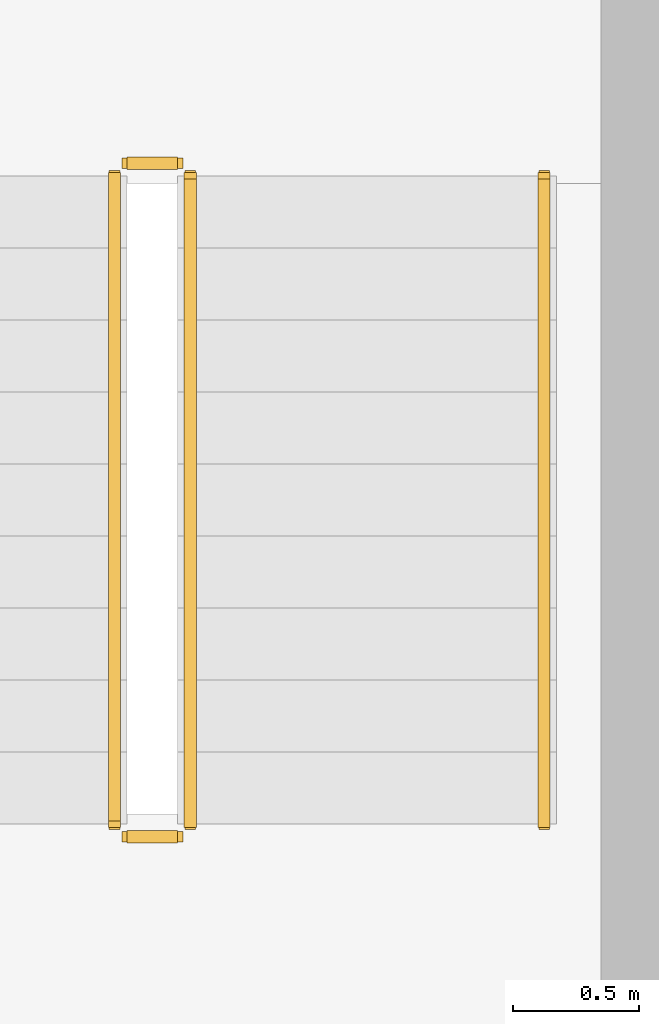
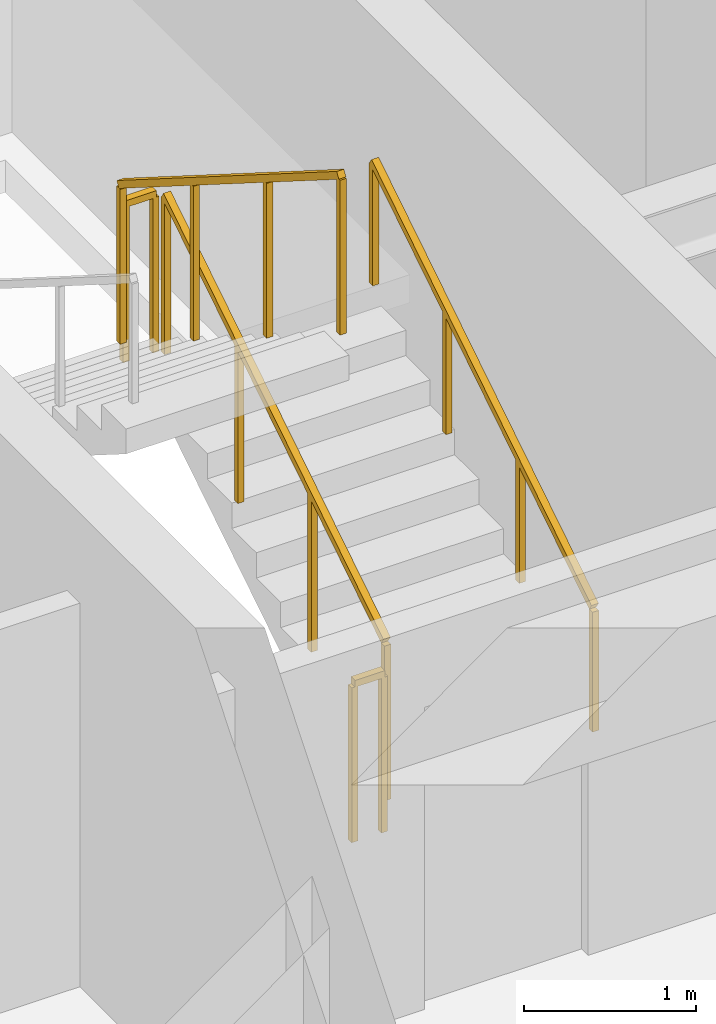
# One storey, part 22 of 22: 5 railings.
"""IFC4 building model written with IfcOpenShell, lengths in metres."""

from ifc_helpers import new_model, si_unit, direction, frame, origin, origin_2d, place, context, subcontext, project, spatial, rectangle, extrude, material, type_object, element, save


model = new_model("IFC4")

# Units and contexts
model_context = context("Model", 3, precision=1e-05, world=origin(), true_north=direction((0.0, 1.0)))
body_context = subcontext(model_context, "Body", "Model", "MODEL_VIEW")
ifc_project = project(units=[si_unit("LENGTHUNIT", "METRE"), si_unit("AREAUNIT", "SQUARE_METRE"), si_unit("VOLUMEUNIT", "CUBIC_METRE"), si_unit("PLANEANGLEUNIT", "RADIAN"), si_unit("MASSUNIT", "GRAM", prefix="KILO")], contexts=[model_context])

# Site, building, storey
site_placement = place(None, origin())
site = spatial("IfcSite", under=ifc_project, at=site_placement, CompositionType="ELEMENT")
building_placement = place(site_placement, origin())
building = spatial("IfcBuilding", under=site, at=building_placement, Name="Sarneth Arch Tower", CompositionType="ELEMENT")
storey_placement = place(building_placement, frame((0.0, 0.0, 298.199951171875)))
storey = spatial("IfcBuildingStorey", under=building, at=storey_placement, Name="L77", CompositionType="ELEMENT", Elevation=298.199951171875)

# Railings
ifc_material_1 = material(Name="Brushed Stainless Steel 304 tubular handrail", Category="steel")
railing_type_1 = type_object("IfcRailingType", Name="RAIL-HANDRAIL-900", PredefinedType="HANDRAIL", material=ifc_material_1)
railing_1_placement = place(storey_placement, frame((58.60009765625, 41.449951171875, 0.179931640625)))
element("IfcRailing", 1, at=railing_1_placement, inside=storey, type_object=railing_type_1, Name="L77 ST-2 stair handrail 1", PredefinedType="HANDRAIL", context=body_context, shape_type="SweptSolid", body=[
    extrude(rectangle(XDim=0.048095703125, YDim=0.048095703125, at=origin_2d()), frame((0.0, 0.0, 0.8759765625), z_axis=(0.0, 0.845465955043, 0.534029323973), x_axis=(-1.0, 0.0, 0.0)), (0.0, 0.0, 1.0), 3.03369140625),
    extrude(rectangle(XDim=0.0419921875, YDim=0.0419921875, at=origin_2d()), origin(), (0.0, 0.0, 1.0), 0.851806640625),
    extrude(rectangle(XDim=0.0419921875, YDim=0.0419921875, at=origin_2d()), frame((0.0, 0.85498046875, 0.5400390625)), (0.0, 0.0, 1.0), 0.851806640625),
    extrude(rectangle(XDim=0.0419921875, YDim=0.0419921875, at=origin_2d()), frame((0.0, 1.7099609375, 1.080078125)), (0.0, 0.0, 1.0), 0.851806640625),
    extrude(rectangle(XDim=0.0419921875, YDim=0.0419921875, at=origin_2d()), frame((0.0, 2.56494140625, 1.6201171875)), (0.0, 0.0, 1.0), 0.851806640625),
])
ifc_material_2 = material(Name="Painted Steel S275 stair well guard", Category="steel")
railing_type_2 = type_object("IfcRailingType", Name="RAIL-STAIR-GUARD", PredefinedType="GUARDRAIL", material=ifc_material_2)
railing_2_placement = place(storey_placement, frame((57.199951171875, 41.449951171875, 0.179931640625)))
element("IfcRailing", 2, at=railing_2_placement, inside=storey, type_object=railing_type_2, Name="L77 ST-2 stair guard 1", PredefinedType="GUARDRAIL", context=body_context, shape_type="SweptSolid", body=[
    extrude(rectangle(XDim=0.048095703125, YDim=0.048095703125, at=origin_2d()), frame((0.0, 0.0, 1.1259765625), z_axis=(0.0, 0.845465955043, 0.534029323973), x_axis=(-1.0, 0.0, 0.0)), (0.0, 0.0, 1.0), 3.03369140625),
    extrude(rectangle(XDim=0.0419921875, YDim=0.0419921875, at=origin_2d()), origin(), (0.0, 0.0, 1.0), 1.101806640625),
    extrude(rectangle(XDim=0.0419921875, YDim=0.0419921875, at=origin_2d()), frame((0.0, 0.85498046875, 0.5400390625)), (0.0, 0.0, 1.0), 1.101806640625),
    extrude(rectangle(XDim=0.0419921875, YDim=0.0419921875, at=origin_2d()), frame((0.0, 1.7099609375, 1.080078125)), (0.0, 0.0, 1.0), 1.101806640625),
    extrude(rectangle(XDim=0.0419921875, YDim=0.0419921875, at=origin_2d()), frame((0.0, 2.56494140625, 1.6201171875)), (0.0, 0.0, 1.0), 1.101806640625),
])
railing_3_placement = place(storey_placement, frame((57.14990234375, 44.06494140625, 1.800048828125)))
element("IfcRailing", 3, at=railing_3_placement, inside=storey, type_object=railing_type_2, Name="L77 ST-2 stair guard 2", PredefinedType="GUARDRAIL", context=body_context, shape_type="SweptSolid", body=[
    extrude(rectangle(XDim=0.048095703125, YDim=0.048095703125, at=origin_2d()), frame((0.0, 0.0, 1.1259765625), z_axis=(-1.0, 0.0, 0.0), x_axis=(0.0, -1.0, 0.0)), (0.0, 0.0, 1.0), 0.199951171875),
    extrude(rectangle(XDim=0.0419921875, YDim=0.0419921875, at=origin_2d()), origin(), (0.0, 0.0, 1.0), 1.101806640625),
    extrude(rectangle(XDim=0.0419921875, YDim=0.0419921875, at=origin_2d()), frame((-0.199951171875, 0.0, 0.0)), (0.0, 0.0, 1.0), 1.101806640625),
])
railing_4_placement = place(storey_placement, frame((56.89990234375, 44.014892578125, 1.97998046875)))
element("IfcRailing", 4, at=railing_4_placement, inside=storey, type_object=railing_type_2, Name="L77 ST-2 stair guard 3", PredefinedType="GUARDRAIL", context=body_context, shape_type="SweptSolid", body=[
    extrude(rectangle(XDim=0.048095703125, YDim=0.048095703125, at=origin_2d()), frame((0.0, 0.0, 1.1259765625), z_axis=(0.0, -0.845465955043, 0.534029323973), x_axis=(1.0, 0.0, 0.0)), (0.0, 0.0, 1.0), 3.03369140625),
    extrude(rectangle(XDim=0.0419921875, YDim=0.0419921875, at=origin_2d()), origin(), (0.0, 0.0, 1.0), 1.101806640625),
    extrude(rectangle(XDim=0.0419921875, YDim=0.0419921875, at=origin_2d()), frame((0.0, -0.85498046875, 0.5400390625)), (0.0, 0.0, 1.0), 1.101806640625),
    extrude(rectangle(XDim=0.0419921875, YDim=0.0419921875, at=origin_2d()), frame((0.0, -1.7099609375, 1.080078125)), (0.0, 0.0, 1.0), 1.101806640625),
    extrude(rectangle(XDim=0.0419921875, YDim=0.0419921875, at=origin_2d()), frame((0.0, -2.56494140625, 1.6201171875)), (0.0, 0.0, 1.0), 1.101806640625),
])
railing_5_placement = place(storey_placement, frame((57.14990234375, 41.39990234375, 0.0)))
element("IfcRailing", 5, at=railing_5_placement, inside=storey, type_object=railing_type_2, Name="L77 ST-2 stair guard 4", PredefinedType="GUARDRAIL", context=body_context, shape_type="SweptSolid", body=[
    extrude(rectangle(XDim=0.048095703125, YDim=0.048095703125, at=origin_2d()), frame((0.0, 0.0, 1.1259765625), z_axis=(-1.0, 0.0, 0.0), x_axis=(0.0, -1.0, 0.0)), (0.0, 0.0, 1.0), 0.199951171875),
    extrude(rectangle(XDim=0.0419921875, YDim=0.0419921875, at=origin_2d()), origin(), (0.0, 0.0, 1.0), 1.101806640625),
    extrude(rectangle(XDim=0.0419921875, YDim=0.0419921875, at=origin_2d()), frame((-0.199951171875, 0.0, 0.0)), (0.0, 0.0, 1.0), 1.101806640625),
])

save(model, "model.ifc")
